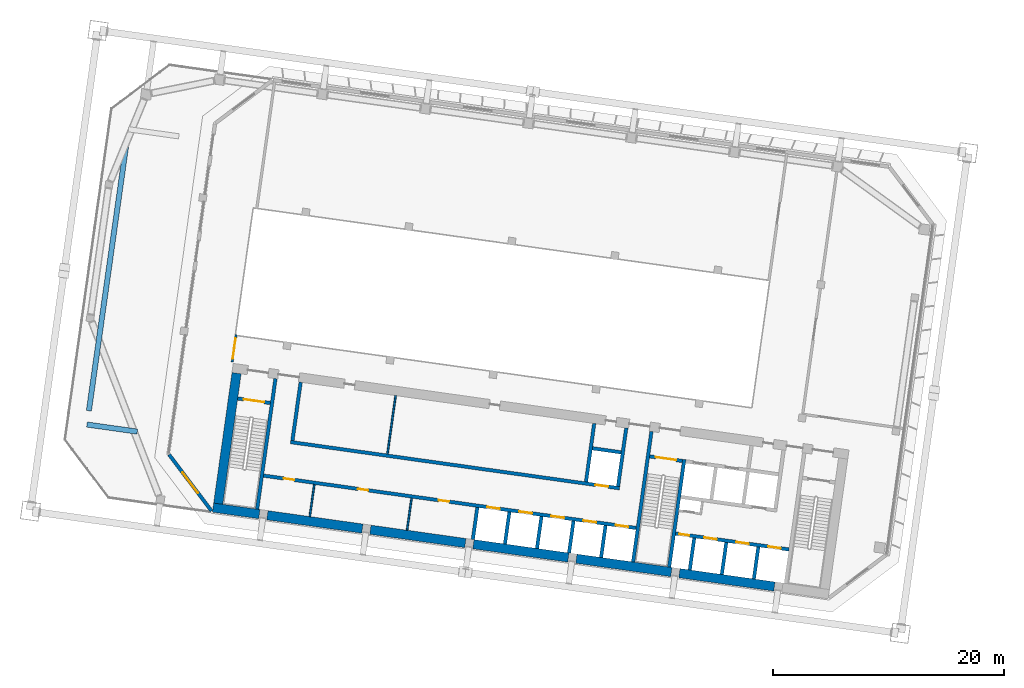
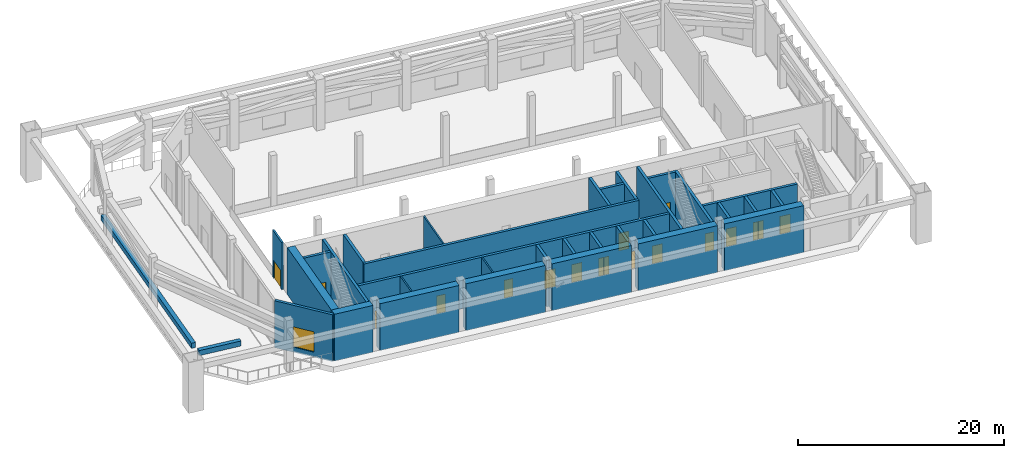
# One storey, part 20 of 41: 34 walls, 16 doors, 1 window, 17 openings.
"""IFC4 building model written with IfcOpenShell, lengths in metres."""

import ifcopenshell
import ifcopenshell.guid

model = None  # the IFC model being written
_history = None  # IfcOwnerHistory: only IFC2X3 demands one
_inside = {}  # id of a spatial element -> (the spatial element, [elements in it])
_under = {}  # id of a project, library or spatial element -> (it, [spatial elements below it])
_declared = {}  # id of a project -> (the project, [libraries it declares])
_typed = {}  # id of a type object -> (the type object, [elements of that type])
_made_of = {}  # id of a material, layer set ... -> (it, [elements and type objects made of it])


def new_model(schema):
    """Start an empty IFC model of exactly this schema.

    Asked for "IFC4X3", IfcOpenShell would pick the latest addendum, in which some entities
    have other attributes; the version numbers below select the first issue.
    IFC2X3 requires an IfcOwnerHistory on every rooted entity: one is made here for all.
    """
    global model, _history
    if schema == "IFC4X3":
        model = ifcopenshell.file(schema_version=(4, 3, 0, 0))
    else:
        model = ifcopenshell.file(schema=schema)
    _inside.clear()
    _under.clear()
    _declared.clear()
    _typed.clear()
    _made_of.clear()
    _history = None
    if model.schema == "IFC2X3":
        org = make("IfcOrganization", Name="unknown")
        user = make(
            "IfcPersonAndOrganization",
            ThePerson=make("IfcPerson", FamilyName="unknown"),
            TheOrganization=org,
        )
        app = make(
            "IfcApplication",
            ApplicationDeveloper=org,
            Version="unknown",
            ApplicationFullName="unknown",
            ApplicationIdentifier="unknown",
        )
        _history = make(
            "IfcOwnerHistory",
            OwningUser=user,
            OwningApplication=app,
            ChangeAction="ADDED",
            CreationDate=0,
        )
    return model


def make(cls, **values):
    """One entity of the class cls with the attributes given. An attribute that is None is left unset."""
    return model.create_entity(
        cls, **{name: value for name, value in values.items() if value is not None}
    )


def rooted(cls, **values):
    """An entity with a GlobalId (a new one), such as an element, a storey or a relation."""
    return make(cls, GlobalId=ifcopenshell.guid.new(), OwnerHistory=_history, **values)


def si_unit(unit_type, name, prefix=None):
    """IfcSIUnit, for example si_unit("LENGTHUNIT", "METRE", prefix="MILLI")."""
    return make("IfcSIUnit", UnitType=unit_type, Prefix=prefix, Name=name)


def assignment(units):
    """IfcUnitAssignment: the units of a project."""
    return None if units is None else make("IfcUnitAssignment", Units=units)


def point(xyz):
    """IfcCartesianPoint."""
    return None if xyz is None else make("IfcCartesianPoint", Coordinates=xyz)


def direction(xyz):
    """IfcDirection."""
    return None if xyz is None else make("IfcDirection", DirectionRatios=xyz)


def frame(location, z_axis=None, x_axis=None):
    """IfcAxis2Placement3D, a coordinate frame: its origin and axes. An axis left out is left unset."""
    return make(
        "IfcAxis2Placement3D",
        Location=point(location),
        Axis=direction(z_axis),
        RefDirection=direction(x_axis),
    )


def frame_2d(location, x_axis=None):
    """IfcAxis2Placement2D, a coordinate frame in the plane: its origin and x axis."""
    return make(
        "IfcAxis2Placement2D", Location=point(location), RefDirection=direction(x_axis)
    )


def origin():
    """The frame at (0, 0, 0) with its axes left unset."""
    return frame((0.0, 0.0, 0.0))


def place(relative_to, where):
    """IfcLocalPlacement: puts the frame where relative to a parent placement (None: the world)."""
    return make(
        "IfcLocalPlacement", PlacementRelTo=relative_to, RelativePlacement=where
    )


def context(
    kind, dimensions, precision=None, world=None, true_north=None, identifier=None
):
    """IfcGeometricRepresentationContext, for example the 3D "Model" context."""
    return make(
        "IfcGeometricRepresentationContext",
        ContextIdentifier=identifier,
        ContextType=kind,
        CoordinateSpaceDimension=dimensions,
        Precision=precision,
        WorldCoordinateSystem=world,
        TrueNorth=true_north,
    )


def subcontext(parent, identifier, kind, view, scale=None):
    """IfcGeometricRepresentationSubContext, for example "Body" below "Model"."""
    return make(
        "IfcGeometricRepresentationSubContext",
        ContextIdentifier=identifier,
        ContextType=kind,
        ParentContext=parent,
        TargetScale=scale,
        TargetView=view,
    )


def project(units=None, contexts=None):
    """IfcProject with its units and contexts."""
    return rooted(
        "IfcProject",
        Name="project",
        RepresentationContexts=contexts,
        UnitsInContext=assignment(units),
    )


def spatial(cls, under=None, at=None, **own):
    """A site, building, storey or space (cls), placed at a placement, below another one or the project."""
    s = rooted(cls, ObjectPlacement=at, **own)
    if under is not None:
        _under.setdefault(under.id(), (under, []))[1].append(s)
    return s


def profile(cls, at=None, kind="AREA", **sizes):
    """A parametric profile (cls). Its sizes go by their IFC names, for example OverallWidth=200.0."""
    return make(cls, ProfileType=kind, Position=at, **sizes)


def rectangle(**sizes):
    """IfcRectangleProfileDef."""
    return profile("IfcRectangleProfileDef", **sizes)


def extrude(swept, where, along, depth):
    """IfcExtrudedAreaSolid: the profile swept, set in the frame where, extruded along a direction by depth."""
    return make(
        "IfcExtrudedAreaSolid",
        SweptArea=swept,
        Position=where,
        ExtrudedDirection=direction(along),
        Depth=depth,
    )


def shape(context_of_items, identifier, shape_type, items):
    """IfcShapeRepresentation: the items that make up one representation, for example the "Body"."""
    return make(
        "IfcShapeRepresentation",
        ContextOfItems=context_of_items,
        RepresentationIdentifier=identifier,
        RepresentationType=shape_type,
        Items=items,
    )


def material(Name=None, Category=None):
    """IfcMaterial."""
    return make("IfcMaterial", Name=Name, Category=Category)


def layer(
    of_material, thickness, ventilated=None, Name=None, Category=None, Priority=None
):
    """IfcMaterialLayer: one layer of a wall or slab, of a material (None: an air gap)."""
    return make(
        "IfcMaterialLayer",
        Material=of_material,
        LayerThickness=thickness,
        IsVentilated=ventilated,
        Name=Name,
        Category=Category,
        Priority=Priority,
    )


def layer_set(layers, Name=None):
    """IfcMaterialLayerSet."""
    return make("IfcMaterialLayerSet", MaterialLayers=layers, LayerSetName=Name)


def made_of(thing, what):
    """Note that an element or type object is made of a material, layer set ...; save() writes the relation."""
    if what is not None:
        _made_of.setdefault(what.id(), (what, []))[1].append(thing)
    return thing


def type_object(cls, material=None, **own):
    """A type object (cls), such as IfcWallType, which elements share."""
    return made_of(rooted(cls, **own), material)


def element(
    cls,
    number,
    at=None,
    inside=None,
    cuts=None,
    type_object=None,
    material=None,
    context=None,
    identifier="Body",
    shape_type=None,
    held_by="IfcProductDefinitionShape",
    body=None,
    shapes=None,
    **own,
):
    """One element of the class cls, such as IfcWall. Its Tag is "e" and its number.

    at: its placement. inside: the storey or other place that contains it. cuts: it is an
    opening in that element (IfcRelVoidsElement). A single representation is given by context,
    identifier, shape_type and body (its items); several are given by shapes. held_by: the class
    of the entity that holds the representations. save() writes the other relations.
    """
    e = rooted(cls, Tag="e%d" % number, ObjectPlacement=at, **own)
    if body is not None:
        shapes = [shape(context, identifier, shape_type, body)]
    if shapes is not None:
        e.Representation = make(held_by, Representations=shapes)
    if inside is not None:
        _inside.setdefault(inside.id(), (inside, []))[1].append(e)
    if cuts is not None:
        rooted(
            "IfcRelVoidsElement", RelatingBuildingElement=cuts, RelatedOpeningElement=e
        )
    if type_object is not None:
        _typed.setdefault(type_object.id(), (type_object, []))[1].append(e)
    return made_of(e, material)


def fill(opening, filler):
    """IfcRelFillsElement: the door or window that sits in an opening."""
    return rooted(
        "IfcRelFillsElement",
        RelatingOpeningElement=opening,
        RelatedBuildingElement=filler,
    )


def aggregate(whole, parts):
    """IfcRelAggregates: a whole, such as a stair, and the parts it consists of."""
    return rooted("IfcRelAggregates", RelatingObject=whole, RelatedObjects=parts)


def save(model, path):
    """Write the relations noted so far, then the file.

    IfcRelAggregates (storeys below a building ...), IfcRelContainedInSpatialStructure (elements
    in a storey), IfcRelDefinesByType, IfcRelAssociatesMaterial and IfcRelDeclares: one each for
    every whole, place, type object, material and project.
    """
    for whole, parts in _under.values():
        aggregate(whole, parts)
    for where, things in _inside.values():
        rooted(
            "IfcRelContainedInSpatialStructure",
            RelatedElements=things,
            RelatingStructure=where,
        )
    for kind, things in _typed.values():
        rooted("IfcRelDefinesByType", RelatedObjects=things, RelatingType=kind)
    for what, things in _made_of.values():
        rooted("IfcRelAssociatesMaterial", RelatedObjects=things, RelatingMaterial=what)
    for by, libraries in _declared.values():
        rooted("IfcRelDeclares", RelatingContext=by, RelatedDefinitions=libraries)
    model.write(path)


model = new_model("IFC4")

# Units and contexts
model_context = context("Model", 3, precision=1e-05, world=origin(), true_north=direction((0.0, 1.0)))
body_context = subcontext(model_context, "Body", "Model", "MODEL_VIEW")
ifc_project = project(units=[si_unit("LENGTHUNIT", "METRE"), si_unit("AREAUNIT", "SQUARE_METRE"), si_unit("VOLUMEUNIT", "CUBIC_METRE"), si_unit("PLANEANGLEUNIT", "RADIAN"), si_unit("MASSUNIT", "GRAM", prefix="KILO")], contexts=[model_context])

# Site, building, storey
site_placement = place(None, origin())
site = spatial("IfcSite", under=ifc_project, at=site_placement, CompositionType="ELEMENT")
building_placement = place(site_placement, origin())
building = spatial("IfcBuilding", under=site, at=building_placement, Name="Mirante Cascada Hotel Towers", CompositionType="ELEMENT")
storey_placement = place(building_placement, frame((0.0, 0.0, 92.7)))
storey = spatial("IfcBuildingStorey", under=building, at=storey_placement, Name="L20", CompositionType="ELEMENT", Elevation=92.7)

# Walls
ifc_material_1 = material(Name="Masonry block", Category="masonry")
ifc_layer_1 = layer(ifc_material_1, 0.15)
ifc_layer_set_1 = layer_set([ifc_layer_1], Name="Core room partition 150 block EI 30")
wall_type_1 = type_object("IfcWallType", Name="Core room partition 150 block EI 30", PredefinedType="PARTITIONING", material=ifc_layer_set_1)
wall_1_placement = place(storey_placement, frame((-73.6152, -14.1482, 0.0), z_axis=(0.0, 0.0, 1.0), x_axis=(0.139176, 0.9902677, 0.0)))
element("IfcWall", 1, at=wall_1_placement, inside=storey, type_object=wall_type_1, Name="Core wall partition T1 L20 4", PredefinedType="PARTITIONING", context=body_context, shape_type="SweptSolid", body=[
    extrude(rectangle(XDim=2.8001, YDim=0.15, at=frame_2d((1.4, 0.0))), origin(), (0.0, 0.0, 1.0), 5.55),
])
wall_2_placement = place(storey_placement, frame((-82.0324, -12.9652, 0.0), z_axis=(0.0, 0.0, 1.0), x_axis=(0.139141, 0.9902726, 0.0)))
element("IfcWall", 2, at=wall_2_placement, inside=storey, type_object=wall_type_1, Name="Core wall partition T1 L20 5", PredefinedType="PARTITIONING", context=body_context, shape_type="SweptSolid", body=[
    extrude(rectangle(XDim=2.8, YDim=0.15, at=frame_2d((1.4, 0.0))), origin(), (0.0, 0.0, 1.0), 5.55),
])
wall_3_placement = place(storey_placement, frame((-75.3131, -7.5476, 0.0), z_axis=(0.0, 0.0, 1.0), x_axis=(0.1391782, 0.9902673, 0.0)))
element("IfcWall", 3, at=wall_3_placement, inside=storey, type_object=wall_type_1, Name="Core wall partition T1 L20 6", PredefinedType="PARTITIONING", context=body_context, shape_type="SweptSolid", body=[
    extrude(rectangle(XDim=5.0999, YDim=0.15, at=frame_2d((2.55, 0.0))), origin(), (0.0, 0.0, 1.0), 5.55),
])
ifc_material_2 = material(Name="Precast concrete C40/50", Category="concrete")
ifc_layer_2 = layer(ifc_material_2, 0.45)
ifc_layer_set_2 = layer_set([ifc_layer_2], Name="Planter wall 450 concrete C40/50")
wall_type_2 = type_object("IfcWallType", Name="Planter wall 450 concrete C40/50", PredefinedType="PARAPET", material=ifc_layer_set_2)
wall_4_placement = place(storey_placement, frame((-96.955, -5.6169, 0.0), z_axis=(0.0, 0.0, 1.0), x_axis=(-0.990267, 0.139181, 0.0)))
element("IfcWall", 4, at=wall_4_placement, inside=storey, type_object=wall_type_2, Name="PLANTER T1 L20 bed 1", PredefinedType="PARAPET", context=body_context, shape_type="SweptSolid", body=[
    extrude(rectangle(XDim=4.4, YDim=0.45, at=frame_2d((2.2, 0.0))), origin(), (0.0, 0.0, 1.0), 0.6),
])
wall_5_placement = place(storey_placement, frame((-101.1451, -3.8162, 0.0), z_axis=(0.0, 0.0, 1.0), x_axis=(0.1391708, 0.9902684, 0.0)))
element("IfcWall", 5, at=wall_5_placement, inside=storey, type_object=wall_type_2, Name="PLANTER T1 L20 bed 3", PredefinedType="PARAPET", context=body_context, shape_type="SweptSolid", body=[
    extrude(rectangle(XDim=23.4, YDim=0.45, at=frame_2d((11.7, 0.0))), origin(), (0.0, 0.0, 1.0), 0.6),
])

# Wall, opening, window
ifc_material_3 = material(Name="Precast concrete C40/50", Category="concrete")
ifc_layer_3 = layer(ifc_material_3, 0.3)
ifc_layer_set_3 = layer_set([ifc_layer_3], Name="Precast concrete C40/50 cladding wall 300")
wall_type_3 = type_object("IfcWallType", Name="Precast concrete C40/50 cladding wall 300", PredefinedType="STANDARD", material=ifc_layer_set_3)
wall_6_placement = place(storey_placement, frame((-90.5299, -12.4841, 0.0), z_axis=(0.0, 0.0, 1.0), x_axis=(-0.6018063, 0.7986421, 0.0)))
wall_6 = element("IfcWall", 6, at=wall_6_placement, inside=storey, type_object=wall_type_3, Name="Corner cladding wall T1 L20 rear outer", PredefinedType="STANDARD", context=body_context, shape_type="SweptSolid", body=[
    extrude(rectangle(XDim=6.1158, YDim=0.3, at=frame_2d((3.0579, 0.0))), origin(), (0.0, 0.0, 1.0), 5.55),
])
opening_1_placement = place(wall_6_placement, frame((1.9578, 0.0, 0.6)))
opening_1 = element("IfcOpeningElement", 7, at=opening_1_placement, cuts=wall_6, Name="Opening W1-20-08", PredefinedType="OPENING", context=body_context, shape_type="SweptSolid", body=[
    extrude(rectangle(XDim=2.2, YDim=2.4, at=frame_2d((1.1, 1.2))), frame((0.0, 0.15, 0.0), z_axis=(0.0, -1.0, 0.0), x_axis=(1.0, 0.0, 0.0)), (0.0, 0.0, 1.0), 0.3),
])
ifc_material_4 = material(Name="Aluminium frame with clear double glazing", Category="aluminium")
window_type = type_object("IfcWindowType", Name="Corner suite window 2200x2400", PartitioningType="DOUBLE_PANEL_VERTICAL", PredefinedType="WINDOW", material=ifc_material_4)
window_placement = place(opening_1_placement, origin())
window = element("IfcWindow", 8, at=window_placement, inside=storey, type_object=window_type, Name="Window W1-20-08", OverallHeight=2.4, OverallWidth=2.2, PartitioningType="SINGLE_PANEL", PredefinedType="WINDOW", context=body_context, shape_type="SweptSolid", body=[
    extrude(rectangle(XDim=2.2, YDim=2.4, at=frame_2d((1.1, 1.2))), frame((0.0, 0.03, 0.0), z_axis=(0.0, -1.0, 0.0), x_axis=(1.0, 0.0, 0.0)), (0.0, 0.0, 1.0), 0.06),
])
fill(opening_1, window)

# Walls
ifc_material_5 = material(Name="Concrete C50/60", Category="concrete")
ifc_layer_4 = layer(ifc_material_5, 0.3)
ifc_layer_set_4 = layer_set([ifc_layer_4], Name="RC core wall 300 C50/60")
wall_type_4 = type_object("IfcWallType", Name="RC core wall 300 C50/60", PredefinedType="SHEAR", material=ifc_layer_set_4)
wall_7_placement = place(storey_placement, frame((-50.938, -17.3352, 0.0), z_axis=(0.0, 0.0, 1.0), x_axis=(0.1391706, 0.9902684, 0.0)))
element("IfcWall", 9, at=wall_7_placement, inside=storey, type_object=wall_type_4, Name="Core wall T1:L20:6", PredefinedType="SHEAR", context=body_context, shape_type="SweptSolid", body=[
    extrude(rectangle(XDim=9.4, YDim=0.3, at=frame_2d((4.7, 0.0))), origin(), (0.0, 0.0, 1.0), 5.55),
])
wall_8_placement = place(storey_placement, frame((-54.0574, -16.8968, 0.0), z_axis=(0.0, 0.0, 1.0), x_axis=(0.1391761, 0.9902677, 0.0)))
element("IfcWall", 10, at=wall_8_placement, inside=storey, type_object=wall_type_4, Name="Core wall T1:L20:7", PredefinedType="SHEAR", context=body_context, shape_type="SweptSolid", body=[
    extrude(rectangle(XDim=11.3999, YDim=0.3, at=frame_2d((5.7, 0.0))), origin(), (0.0, 0.0, 1.0), 5.55),
])
wall_9_placement = place(storey_placement, frame((-86.5877, -12.325, 0.0), z_axis=(0.0, 0.0, 1.0), x_axis=(0.1391749, 0.9902678, 0.0)))
element("IfcWall", 11, at=wall_9_placement, inside=storey, type_object=wall_type_4, Name="Core wall T1:L20:8", PredefinedType="SHEAR", context=body_context, shape_type="SweptSolid", body=[
    extrude(rectangle(XDim=11.4, YDim=0.3, at=frame_2d((5.7, 0.0))), origin(), (0.0, 0.0, 1.0), 5.55),
])

# Wall, opening, door
wall_10_placement = place(storey_placement, frame((-49.7992, -8.1544, 0.0), z_axis=(0.0, 0.0, 1.0), x_axis=(-0.9902656, 0.1391909, 0.0)))
wall_10 = element("IfcWall", 12, at=wall_10_placement, inside=storey, type_object=wall_type_4, Name="Core wall T1:L20:10", PredefinedType="SHEAR", context=body_context, shape_type="SweptSolid", body=[
    extrude(rectangle(XDim=2.85, YDim=0.3, at=frame_2d((1.425, 0.0))), origin(), (0.0, 0.0, 1.0), 5.55),
])
opening_2_placement = place(wall_10_placement, frame((0.525, 0.0, 0.0)))
opening_2 = element("IfcOpeningElement", 13, at=opening_2_placement, cuts=wall_10, Name="Opening D1-20-C15", PredefinedType="OPENING", context=body_context, shape_type="SweptSolid", body=[
    extrude(rectangle(XDim=1.8, YDim=2.1, at=frame_2d((0.9, 1.05))), frame((0.0, 0.15, 0.0), z_axis=(0.0, -1.0, 0.0), x_axis=(1.0, 0.0, 0.0)), (0.0, 0.0, 1.0), 0.3),
])
ifc_material_6 = material(Name="Hollow metal fire door leaf")
door_type_1 = type_object("IfcDoorType", Name="Double fire door 1800x2100 FD60", OperationType="DOUBLE_DOOR_SINGLE_SWING", PredefinedType="DOOR", material=ifc_material_6)
door_1_placement = place(opening_2_placement, origin())
door_1 = element("IfcDoor", 14, at=door_1_placement, inside=storey, type_object=door_type_1, Name="Stair door T1 L20 15", OperationType="DOUBLE_DOOR_SINGLE_SWING", OverallHeight=2.1, OverallWidth=1.8, PredefinedType="DOOR", context=body_context, shape_type="SweptSolid", body=[
    extrude(rectangle(XDim=0.895, YDim=2.1, at=frame_2d((0.4475, 1.05))), frame((0.0, 0.025, 0.0), z_axis=(0.0, -1.0, 0.0), x_axis=(1.0, 0.0, 0.0)), (0.0, 0.0, 1.0), 0.05),
    extrude(rectangle(XDim=0.895, YDim=2.1, at=frame_2d((1.3525, 1.05))), frame((0.0, 0.025, 0.0), z_axis=(0.0, -1.0, 0.0), x_axis=(1.0, 0.0, 0.0)), (0.0, 0.0, 1.0), 0.05),
])
fill(opening_2, door_1)

wall_11_placement = place(storey_placement, frame((-85.4489, -3.1441, 0.0), z_axis=(0.0, 0.0, 1.0), x_axis=(-0.9902697, 0.1391613, 0.0)))
wall_11 = element("IfcWall", 15, at=wall_11_placement, inside=storey, type_object=wall_type_4, Name="Core wall T1:L20:11", PredefinedType="SHEAR", context=body_context, shape_type="SweptSolid", body=[
    extrude(rectangle(XDim=2.8499, YDim=0.3, at=frame_2d((1.425, 0.0))), origin(), (0.0, 0.0, 1.0), 5.55),
])
opening_3_placement = place(wall_11_placement, frame((0.525, 0.0, 0.0)))
opening_3 = element("IfcOpeningElement", 16, at=opening_3_placement, cuts=wall_11, Name="Opening D1-20-C17", PredefinedType="OPENING", context=body_context, shape_type="SweptSolid", body=[
    extrude(rectangle(XDim=1.8, YDim=2.1, at=frame_2d((0.9, 1.05))), frame((0.0, 0.15, 0.0), z_axis=(0.0, -1.0, 0.0), x_axis=(1.0, 0.0, 0.0)), (0.0, 0.0, 1.0), 0.3),
])
door_2_placement = place(opening_3_placement, origin())
door_2 = element("IfcDoor", 17, at=door_2_placement, inside=storey, type_object=door_type_1, Name="Stair door T1 L20 17", OperationType="DOUBLE_DOOR_SINGLE_SWING", OverallHeight=2.1, OverallWidth=1.8, PredefinedType="DOOR", context=body_context, shape_type="SweptSolid", body=[
    extrude(rectangle(XDim=0.895, YDim=2.1, at=frame_2d((0.4475, 1.05))), frame((0.0, 0.025, 0.0), z_axis=(0.0, -1.0, 0.0), x_axis=(1.0, 0.0, 0.0)), (0.0, 0.0, 1.0), 0.05),
    extrude(rectangle(XDim=0.895, YDim=2.1, at=frame_2d((1.3525, 1.05))), frame((0.0, 0.025, 0.0), z_axis=(0.0, -1.0, 0.0), x_axis=(1.0, 0.0, 0.0)), (0.0, 0.0, 1.0), 0.05),
])
fill(opening_3, door_2)

# Wall, openings, doors
wall_12_placement = place(storey_placement, frame((-40.5753, -15.8126, 0.0), z_axis=(0.0, 0.0, 1.0), x_axis=(-0.9902682, 0.1391725, 0.0)))
wall_12 = element("IfcWall", 18, at=wall_12_placement, inside=storey, type_object=wall_type_4, Name="Core wall T1:L20:12", PredefinedType="SHEAR", context=body_context, shape_type="SweptSolid", body=[
    extrude(rectangle(XDim=9.8999, YDim=0.3, at=frame_2d((4.95, 0.0))), origin(), (0.0, 0.0, 1.0), 5.55),
])
opening_4_placement = place(wall_12_placement, frame((0.7, 0.0, 0.0)))
opening_4 = element("IfcOpeningElement", 19, at=opening_4_placement, cuts=wall_12, Name="Opening LD", PredefinedType="OPENING", context=body_context, shape_type="SweptSolid", body=[
    extrude(rectangle(XDim=1.1, YDim=2.1, at=frame_2d((0.55, 1.05))), frame((0.0, 0.15, 0.0), z_axis=(0.0, -1.0, 0.0), x_axis=(1.0, 0.0, 0.0)), (0.0, 0.0, 1.0), 0.3),
])
opening_5_placement = place(wall_12_placement, frame((3.5, 0.0, 0.0)))
opening_5 = element("IfcOpeningElement", 20, at=opening_5_placement, cuts=wall_12, Name="Opening LD", PredefinedType="OPENING", context=body_context, shape_type="SweptSolid", body=[
    extrude(rectangle(XDim=1.1, YDim=2.1, at=frame_2d((0.55, 1.05))), frame((0.0, 0.15, 0.0), z_axis=(0.0, -1.0, 0.0), x_axis=(1.0, 0.0, 0.0)), (0.0, 0.0, 1.0), 0.3),
])
opening_6_placement = place(wall_12_placement, frame((6.3, 0.0, 0.0)))
opening_6 = element("IfcOpeningElement", 21, at=opening_6_placement, cuts=wall_12, Name="Opening LD", PredefinedType="OPENING", context=body_context, shape_type="SweptSolid", body=[
    extrude(rectangle(XDim=1.1, YDim=2.1, at=frame_2d((0.55, 1.05))), frame((0.0, 0.15, 0.0), z_axis=(0.0, -1.0, 0.0), x_axis=(1.0, 0.0, 0.0)), (0.0, 0.0, 1.0), 0.3),
])
opening_7_placement = place(wall_12_placement, frame((8.7, 0.0, 0.0)))
opening_7 = element("IfcOpeningElement", 22, at=opening_7_placement, cuts=wall_12, Name="Opening D1-20-C22", PredefinedType="OPENING", context=body_context, shape_type="SweptSolid", body=[
    extrude(rectangle(XDim=0.9, YDim=2.1, at=frame_2d((0.45, 1.05))), frame((0.0, 0.15, 0.0), z_axis=(0.0, -1.0, 0.0), x_axis=(1.0, 0.0, 0.0)), (0.0, 0.0, 1.0), 0.3),
])
ifc_material_7 = material(Name="Hollow metal fire door leaf")
door_type_2 = type_object("IfcDoorType", Name="Fire door 900x2100 FD60", OperationType="NOTDEFINED", PredefinedType="DOOR", material=ifc_material_7)
door_3_placement = place(opening_7_placement, origin())
door_3 = element("IfcDoor", 23, at=door_3_placement, inside=storey, type_object=door_type_2, Name="Riser door T1 L20 22", OperationType="SINGLE_SWING_LEFT", OverallHeight=2.1, OverallWidth=0.9, PredefinedType="DOOR", context=body_context, shape_type="SweptSolid", body=[
    extrude(rectangle(XDim=0.9, YDim=2.1, at=frame_2d((0.45, 1.05))), frame((0.0, 0.025, 0.0), z_axis=(0.0, -1.0, 0.0), x_axis=(1.0, 0.0, 0.0)), (0.0, 0.0, 1.0), 0.05),
])
fill(opening_7, door_3)
ifc_material_8 = material(Name="Stainless steel", Category="steel")
door_type_3 = type_object("IfcDoorType", Name="Lift landing door 1100x2100 EI 120", OperationType="DOUBLE_DOOR_SLIDING", PredefinedType="DOOR", material=ifc_material_8)
door_4_placement = place(opening_4_placement, origin())
door_4 = element("IfcDoor", 24, at=door_4_placement, inside=storey, type_object=door_type_3, Name="Lift landing door HR1-1 L20", OperationType="DOUBLE_DOOR_SLIDING", OverallHeight=2.1, OverallWidth=1.1, PredefinedType="DOOR", context=body_context, shape_type="SweptSolid", body=[
    extrude(rectangle(XDim=0.545, YDim=2.1, at=frame_2d((0.2725, 1.05))), frame((0.0, 0.025, 0.0), z_axis=(0.0, -1.0, 0.0), x_axis=(1.0, 0.0, 0.0)), (0.0, 0.0, 1.0), 0.05),
    extrude(rectangle(XDim=0.545, YDim=2.1, at=frame_2d((0.8275, 1.05))), frame((0.0, 0.025, 0.0), z_axis=(0.0, -1.0, 0.0), x_axis=(1.0, 0.0, 0.0)), (0.0, 0.0, 1.0), 0.05),
])
fill(opening_4, door_4)
door_5_placement = place(opening_5_placement, origin())
door_5 = element("IfcDoor", 25, at=door_5_placement, inside=storey, type_object=door_type_3, Name="Lift landing door HR1-2 L20", OperationType="DOUBLE_DOOR_SLIDING", OverallHeight=2.1, OverallWidth=1.1, PredefinedType="DOOR", context=body_context, shape_type="SweptSolid", body=[
    extrude(rectangle(XDim=0.545, YDim=2.1, at=frame_2d((0.2725, 1.05))), frame((0.0, 0.025, 0.0), z_axis=(0.0, -1.0, 0.0), x_axis=(1.0, 0.0, 0.0)), (0.0, 0.0, 1.0), 0.05),
    extrude(rectangle(XDim=0.545, YDim=2.1, at=frame_2d((0.8275, 1.05))), frame((0.0, 0.025, 0.0), z_axis=(0.0, -1.0, 0.0), x_axis=(1.0, 0.0, 0.0)), (0.0, 0.0, 1.0), 0.05),
])
fill(opening_5, door_5)
door_6_placement = place(opening_6_placement, origin())
door_6 = element("IfcDoor", 26, at=door_6_placement, inside=storey, type_object=door_type_3, Name="Lift landing door HR1-3 L20", OperationType="DOUBLE_DOOR_SLIDING", OverallHeight=2.1, OverallWidth=1.1, PredefinedType="DOOR", context=body_context, shape_type="SweptSolid", body=[
    extrude(rectangle(XDim=0.545, YDim=2.1, at=frame_2d((0.2725, 1.05))), frame((0.0, 0.025, 0.0), z_axis=(0.0, -1.0, 0.0), x_axis=(1.0, 0.0, 0.0)), (0.0, 0.0, 1.0), 0.05),
    extrude(rectangle(XDim=0.545, YDim=2.1, at=frame_2d((0.8275, 1.05))), frame((0.0, 0.025, 0.0), z_axis=(0.0, -1.0, 0.0), x_axis=(1.0, 0.0, 0.0)), (0.0, 0.0, 1.0), 0.05),
])
fill(opening_6, door_6)

# Walls
wall_13_placement = place(storey_placement, frame((-43.61, -18.3651, 0.0), z_axis=(0.0, 0.0, 1.0), x_axis=(0.1391459, 0.9902719, 0.0)))
element("IfcWall", 27, at=wall_13_placement, inside=storey, type_object=wall_type_4, Name="Core wall T1:L20:15", PredefinedType="SHEAR", context=body_context, shape_type="SweptSolid", body=[
    extrude(rectangle(XDim=2.7999, YDim=0.3, at=frame_2d((1.4, 0.0))), origin(), (0.0, 0.0, 1.0), 5.55),
])
wall_14_placement = place(storey_placement, frame((-46.3828, -17.9754, 0.0), z_axis=(0.0, 0.0, 1.0), x_axis=(0.139181, 0.990267, 0.0)))
element("IfcWall", 28, at=wall_14_placement, inside=storey, type_object=wall_type_4, Name="Core wall T1:L20:16", PredefinedType="SHEAR", context=body_context, shape_type="SweptSolid", body=[
    extrude(rectangle(XDim=2.8, YDim=0.3, at=frame_2d((1.4, 0.0))), origin(), (0.0, 0.0, 1.0), 5.55),
])
wall_15_placement = place(storey_placement, frame((-49.1555, -17.5857, 0.0), z_axis=(0.0, 0.0, 1.0), x_axis=(0.1391459, 0.9902719, 0.0)))
element("IfcWall", 29, at=wall_15_placement, inside=storey, type_object=wall_type_4, Name="Core wall T1:L20:17", PredefinedType="SHEAR", context=body_context, shape_type="SweptSolid", body=[
    extrude(rectangle(XDim=2.7999, YDim=0.3, at=frame_2d((1.4, 0.0))), origin(), (0.0, 0.0, 1.0), 5.55),
])

# Wall, openings, doors
wall_16_placement = place(storey_placement, frame((-53.7953, -13.9547, 0.0), z_axis=(0.0, 0.0, 1.0), x_axis=(-0.990268, 0.1391733, 0.0)))
wall_16 = element("IfcWall", 30, at=wall_16_placement, inside=storey, type_object=wall_type_4, Name="Core wall T1:L20:24", PredefinedType="SHEAR", context=body_context, shape_type="SweptSolid", body=[
    extrude(rectangle(XDim=32.5501, YDim=0.3, at=frame_2d((16.275, 0.0))), origin(), (0.0, 0.0, 1.0), 5.55),
])
opening_8_placement = place(wall_16_placement, frame((0.7, 0.0, 0.0)))
opening_8 = element("IfcOpeningElement", 31, at=opening_8_placement, cuts=wall_16, Name="Opening LD", PredefinedType="OPENING", context=body_context, shape_type="SweptSolid", body=[
    extrude(rectangle(XDim=1.1, YDim=2.1, at=frame_2d((0.55, 1.05))), frame((0.0, 0.15, 0.0), z_axis=(0.0, -1.0, 0.0), x_axis=(1.0, 0.0, 0.0)), (0.0, 0.0, 1.0), 0.3),
])
opening_9_placement = place(wall_16_placement, frame((3.5, 0.0, 0.0)))
opening_9 = element("IfcOpeningElement", 32, at=opening_9_placement, cuts=wall_16, Name="Opening LD", PredefinedType="OPENING", context=body_context, shape_type="SweptSolid", body=[
    extrude(rectangle(XDim=1.1, YDim=2.1, at=frame_2d((0.55, 1.05))), frame((0.0, 0.15, 0.0), z_axis=(0.0, -1.0, 0.0), x_axis=(1.0, 0.0, 0.0)), (0.0, 0.0, 1.0), 0.3),
])
opening_10_placement = place(wall_16_placement, frame((6.3, 0.0, 0.0)))
opening_10 = element("IfcOpeningElement", 33, at=opening_10_placement, cuts=wall_16, Name="Opening LD", PredefinedType="OPENING", context=body_context, shape_type="SweptSolid", body=[
    extrude(rectangle(XDim=1.1, YDim=2.1, at=frame_2d((0.55, 1.05))), frame((0.0, 0.15, 0.0), z_axis=(0.0, -1.0, 0.0), x_axis=(1.0, 0.0, 0.0)), (0.0, 0.0, 1.0), 0.3),
])
opening_11_placement = place(wall_16_placement, frame((9.1, 0.0, 0.0)))
opening_11 = element("IfcOpeningElement", 34, at=opening_11_placement, cuts=wall_16, Name="Opening LD", PredefinedType="OPENING", context=body_context, shape_type="SweptSolid", body=[
    extrude(rectangle(XDim=1.1, YDim=2.1, at=frame_2d((0.55, 1.05))), frame((0.0, 0.15, 0.0), z_axis=(0.0, -1.0, 0.0), x_axis=(1.0, 0.0, 0.0)), (0.0, 0.0, 1.0), 0.3),
])
opening_12_placement = place(wall_16_placement, frame((11.9, 0.0, 0.0)))
opening_12 = element("IfcOpeningElement", 35, at=opening_12_placement, cuts=wall_16, Name="Opening LD", PredefinedType="OPENING", context=body_context, shape_type="SweptSolid", body=[
    extrude(rectangle(XDim=1.1, YDim=2.1, at=frame_2d((0.55, 1.05))), frame((0.0, 0.15, 0.0), z_axis=(0.0, -1.0, 0.0), x_axis=(1.0, 0.0, 0.0)), (0.0, 0.0, 1.0), 0.3),
])
opening_13_placement = place(wall_16_placement, frame((16.35, 0.0, 0.0)))
opening_13 = element("IfcOpeningElement", 36, at=opening_13_placement, cuts=wall_16, Name="Opening D1-20-C25", PredefinedType="OPENING", context=body_context, shape_type="SweptSolid", body=[
    extrude(rectangle(XDim=0.9, YDim=2.1, at=frame_2d((0.45, 1.05))), frame((0.0, 0.15, 0.0), z_axis=(0.0, -1.0, 0.0), x_axis=(1.0, 0.0, 0.0)), (0.0, 0.0, 1.0), 0.3),
])
opening_14_placement = place(wall_16_placement, frame((23.4, 0.0, 0.0)))
opening_14 = element("IfcOpeningElement", 37, at=opening_14_placement, cuts=wall_16, Name="Opening D1-20-C26", PredefinedType="OPENING", context=body_context, shape_type="SweptSolid", body=[
    extrude(rectangle(XDim=0.9, YDim=2.1, at=frame_2d((0.45, 1.05))), frame((0.0, 0.15, 0.0), z_axis=(0.0, -1.0, 0.0), x_axis=(1.0, 0.0, 0.0)), (0.0, 0.0, 1.0), 0.3),
])
opening_15_placement = place(wall_16_placement, frame((29.875, 0.0, 0.0)))
opening_15 = element("IfcOpeningElement", 38, at=opening_15_placement, cuts=wall_16, Name="Opening D1-20-C27", PredefinedType="OPENING", context=body_context, shape_type="SweptSolid", body=[
    extrude(rectangle(XDim=0.9, YDim=2.1, at=frame_2d((0.45, 1.05))), frame((0.0, 0.15, 0.0), z_axis=(0.0, -1.0, 0.0), x_axis=(1.0, 0.0, 0.0)), (0.0, 0.0, 1.0), 0.3),
])
door_7_placement = place(opening_13_placement, origin())
door_7 = element("IfcDoor", 39, at=door_7_placement, inside=storey, type_object=door_type_2, Name="Room door T1 L20 25", OperationType="SINGLE_SWING_LEFT", OverallHeight=2.1, OverallWidth=0.9, PredefinedType="DOOR", context=body_context, shape_type="SweptSolid", body=[
    extrude(rectangle(XDim=0.9, YDim=2.1, at=frame_2d((0.45, 1.05))), frame((0.0, 0.025, 0.0), z_axis=(0.0, -1.0, 0.0), x_axis=(1.0, 0.0, 0.0)), (0.0, 0.0, 1.0), 0.05),
])
fill(opening_13, door_7)
door_8_placement = place(opening_14_placement, origin())
door_8 = element("IfcDoor", 40, at=door_8_placement, inside=storey, type_object=door_type_2, Name="Room door T1 L20 26", OperationType="SINGLE_SWING_LEFT", OverallHeight=2.1, OverallWidth=0.9, PredefinedType="DOOR", context=body_context, shape_type="SweptSolid", body=[
    extrude(rectangle(XDim=0.9, YDim=2.1, at=frame_2d((0.45, 1.05))), frame((0.0, 0.025, 0.0), z_axis=(0.0, -1.0, 0.0), x_axis=(1.0, 0.0, 0.0)), (0.0, 0.0, 1.0), 0.05),
])
fill(opening_14, door_8)
door_9_placement = place(opening_15_placement, origin())
door_9 = element("IfcDoor", 41, at=door_9_placement, inside=storey, type_object=door_type_2, Name="Room door T1 L20 27", OperationType="SINGLE_SWING_LEFT", OverallHeight=2.1, OverallWidth=0.9, PredefinedType="DOOR", context=body_context, shape_type="SweptSolid", body=[
    extrude(rectangle(XDim=0.9, YDim=2.1, at=frame_2d((0.45, 1.05))), frame((0.0, 0.025, 0.0), z_axis=(0.0, -1.0, 0.0), x_axis=(1.0, 0.0, 0.0)), (0.0, 0.0, 1.0), 0.05),
])
fill(opening_15, door_9)
door_10_placement = place(opening_8_placement, origin())
door_10 = element("IfcDoor", 42, at=door_10_placement, inside=storey, type_object=door_type_3, Name="Lift landing door LR1-1 L20", OperationType="DOUBLE_DOOR_SLIDING", OverallHeight=2.1, OverallWidth=1.1, PredefinedType="DOOR", context=body_context, shape_type="SweptSolid", body=[
    extrude(rectangle(XDim=0.545, YDim=2.1, at=frame_2d((0.2725, 1.05))), frame((0.0, 0.025, 0.0), z_axis=(0.0, -1.0, 0.0), x_axis=(1.0, 0.0, 0.0)), (0.0, 0.0, 1.0), 0.05),
    extrude(rectangle(XDim=0.545, YDim=2.1, at=frame_2d((0.8275, 1.05))), frame((0.0, 0.025, 0.0), z_axis=(0.0, -1.0, 0.0), x_axis=(1.0, 0.0, 0.0)), (0.0, 0.0, 1.0), 0.05),
])
fill(opening_8, door_10)
door_11_placement = place(opening_9_placement, origin())
door_11 = element("IfcDoor", 43, at=door_11_placement, inside=storey, type_object=door_type_3, Name="Lift landing door LR1-2 L20", OperationType="DOUBLE_DOOR_SLIDING", OverallHeight=2.1, OverallWidth=1.1, PredefinedType="DOOR", context=body_context, shape_type="SweptSolid", body=[
    extrude(rectangle(XDim=0.545, YDim=2.1, at=frame_2d((0.2725, 1.05))), frame((0.0, 0.025, 0.0), z_axis=(0.0, -1.0, 0.0), x_axis=(1.0, 0.0, 0.0)), (0.0, 0.0, 1.0), 0.05),
    extrude(rectangle(XDim=0.545, YDim=2.1, at=frame_2d((0.8275, 1.05))), frame((0.0, 0.025, 0.0), z_axis=(0.0, -1.0, 0.0), x_axis=(1.0, 0.0, 0.0)), (0.0, 0.0, 1.0), 0.05),
])
fill(opening_9, door_11)
door_12_placement = place(opening_10_placement, origin())
door_12 = element("IfcDoor", 44, at=door_12_placement, inside=storey, type_object=door_type_3, Name="Lift landing door SV1-1 L20", OperationType="DOUBLE_DOOR_SLIDING", OverallHeight=2.1, OverallWidth=1.1, PredefinedType="DOOR", context=body_context, shape_type="SweptSolid", body=[
    extrude(rectangle(XDim=0.545, YDim=2.1, at=frame_2d((0.2725, 1.05))), frame((0.0, 0.025, 0.0), z_axis=(0.0, -1.0, 0.0), x_axis=(1.0, 0.0, 0.0)), (0.0, 0.0, 1.0), 0.05),
    extrude(rectangle(XDim=0.545, YDim=2.1, at=frame_2d((0.8275, 1.05))), frame((0.0, 0.025, 0.0), z_axis=(0.0, -1.0, 0.0), x_axis=(1.0, 0.0, 0.0)), (0.0, 0.0, 1.0), 0.05),
])
fill(opening_10, door_12)
door_13_placement = place(opening_11_placement, origin())
door_13 = element("IfcDoor", 45, at=door_13_placement, inside=storey, type_object=door_type_3, Name="Lift landing door SV1-2 L20", OperationType="DOUBLE_DOOR_SLIDING", OverallHeight=2.1, OverallWidth=1.1, PredefinedType="DOOR", context=body_context, shape_type="SweptSolid", body=[
    extrude(rectangle(XDim=0.545, YDim=2.1, at=frame_2d((0.2725, 1.05))), frame((0.0, 0.025, 0.0), z_axis=(0.0, -1.0, 0.0), x_axis=(1.0, 0.0, 0.0)), (0.0, 0.0, 1.0), 0.05),
    extrude(rectangle(XDim=0.545, YDim=2.1, at=frame_2d((0.8275, 1.05))), frame((0.0, 0.025, 0.0), z_axis=(0.0, -1.0, 0.0), x_axis=(1.0, 0.0, 0.0)), (0.0, 0.0, 1.0), 0.05),
])
fill(opening_11, door_13)
door_14_placement = place(opening_12_placement, origin())
door_14 = element("IfcDoor", 46, at=door_14_placement, inside=storey, type_object=door_type_3, Name="Lift landing door SV1-3 L20", OperationType="DOUBLE_DOOR_SLIDING", OverallHeight=2.1, OverallWidth=1.1, PredefinedType="DOOR", context=body_context, shape_type="SweptSolid", body=[
    extrude(rectangle(XDim=0.545, YDim=2.1, at=frame_2d((0.2725, 1.05))), frame((0.0, 0.025, 0.0), z_axis=(0.0, -1.0, 0.0), x_axis=(1.0, 0.0, 0.0)), (0.0, 0.0, 1.0), 0.05),
    extrude(rectangle(XDim=0.545, YDim=2.1, at=frame_2d((0.8275, 1.05))), frame((0.0, 0.025, 0.0), z_axis=(0.0, -1.0, 0.0), x_axis=(1.0, 0.0, 0.0)), (0.0, 0.0, 1.0), 0.05),
])
fill(opening_12, door_14)

# Walls
for number, where, z_axis, x_axis, name in (
    (47, (-56.8301, -16.5072, 0.0), (0.0, 0.0, 1.0), (0.139176, 0.9902677, 0.0), "Core wall T1:L20:25"),
    (48, (-59.6029, -16.1175, 0.0), (0.0, 0.0, 1.0), (0.139176, 0.9902677, 0.0), "Core wall T1:L20:26"),
    (49, (-62.3756, -15.7278, 0.0), (0.0, 0.0, 1.0), (0.139176, 0.9902677, 0.0), "Core wall T1:L20:27"),
    (50, (-65.1484, -15.3381, 0.0), (0.0, 0.0, 1.0), (0.139176, 0.9902677, 0.0), "Core wall T1:L20:28"),
):
    element("IfcWall", number, at=place(storey_placement, frame(where, z_axis=z_axis, x_axis=x_axis)), inside=storey, type_object=wall_type_4, Name=name, PredefinedType="SHEAR", context=body_context, shape_type="SweptSolid", body=[
        extrude(rectangle(XDim=2.8001, YDim=0.3, at=frame_2d((1.4, 0.0))), origin(), (0.0, 0.0, 1.0), 5.55),
    ])
wall_17_placement = place(storey_placement, frame((-67.9211, -14.9484, 0.0), z_axis=(0.0, 0.0, 1.0), x_axis=(0.139181, 0.990267, 0.0)))
element("IfcWall", 51, at=wall_17_placement, inside=storey, type_object=wall_type_4, Name="Core wall T1:L20:29", PredefinedType="SHEAR", context=body_context, shape_type="SweptSolid", body=[
    extrude(rectangle(XDim=2.8, YDim=0.3, at=frame_2d((1.4, 0.0))), origin(), (0.0, 0.0, 1.0), 5.55),
])

# Wall, opening, door
wall_18_placement = place(storey_placement, frame((-55.2315, -10.5214, 0.0), z_axis=(0.0, 0.0, 1.0), x_axis=(-0.9902682, 0.1391722, 0.0)))
wall_18 = element("IfcWall", 52, at=wall_18_placement, inside=storey, type_object=wall_type_4, Name="Core wall T1:L20:32", PredefinedType="SHEAR", context=body_context, shape_type="SweptSolid", body=[
    extrude(rectangle(XDim=28.75, YDim=0.3, at=frame_2d((14.375, 0.0))), origin(), (0.0, 0.0, 1.0), 5.55),
])
opening_16_placement = place(wall_18_placement, frame((1.0, 0.0, 0.0)))
opening_16 = element("IfcOpeningElement", 53, at=opening_16_placement, cuts=wall_18, Name="Opening LD", PredefinedType="OPENING", context=body_context, shape_type="SweptSolid", body=[
    extrude(rectangle(XDim=1.1, YDim=2.1, at=frame_2d((0.55, 1.05))), frame((0.0, 0.15, 0.0), z_axis=(0.0, -1.0, 0.0), x_axis=(1.0, 0.0, 0.0)), (0.0, 0.0, 1.0), 0.3),
])
door_15_placement = place(opening_16_placement, origin())
door_15 = element("IfcDoor", 54, at=door_15_placement, inside=storey, type_object=door_type_3, Name="Lift landing door LR1-3 L20", OperationType="DOUBLE_DOOR_SLIDING", OverallHeight=2.1, OverallWidth=1.1, PredefinedType="DOOR", context=body_context, shape_type="SweptSolid", body=[
    extrude(rectangle(XDim=0.545, YDim=2.1, at=frame_2d((0.2725, 1.05))), frame((0.0, 0.025, 0.0), z_axis=(0.0, -1.0, 0.0), x_axis=(1.0, 0.0, 0.0)), (0.0, 0.0, 1.0), 0.05),
    extrude(rectangle(XDim=0.545, YDim=2.1, at=frame_2d((0.8275, 1.05))), frame((0.0, 0.025, 0.0), z_axis=(0.0, -1.0, 0.0), x_axis=(1.0, 0.0, 0.0)), (0.0, 0.0, 1.0), 0.05),
])
fill(opening_16, door_15)

# Walls
for number, where, z_axis, x_axis, name in (
    (55, (-55.3592, -10.352, 0.0), (0.0, 0.0, 1.0), (0.1391755, 0.9902677, 0.0), "Core wall T1:L20:33"),
    (56, (-83.5323, -6.3925, 0.0), (0.0, 0.0, 1.0), (0.1391755, 0.9902677, 0.0), "Core wall T1:L20:34"),
    (57, (-58.1319, -9.9623, 0.0), (0.0, 0.0, 1.0), (0.1391755, 0.9902677, 0.0), "Core wall T1:L20:35"),
):
    element("IfcWall", number, at=place(storey_placement, frame(where, z_axis=z_axis, x_axis=x_axis)), inside=storey, type_object=wall_type_4, Name=name, PredefinedType="SHEAR", context=body_context, shape_type="SweptSolid", body=[
        extrude(rectangle(XDim=5.1, YDim=0.3, at=frame_2d((2.55, 0.0))), origin(), (0.0, 0.0, 1.0), 5.55),
    ])
wall_19_placement = place(storey_placement, frame((-55.0971, -7.4098, 0.0), z_axis=(0.0, 0.0, 1.0), x_axis=(-0.9902701, 0.1391586, 0.0)))
element("IfcWall", 58, at=wall_19_placement, inside=storey, type_object=wall_type_4, Name="Core wall T1:L20:36", PredefinedType="SHEAR", context=body_context, shape_type="SweptSolid", body=[
    extrude(rectangle(XDim=2.5, YDim=0.3, at=frame_2d((1.25, 0.0))), origin(), (0.0, 0.0, 1.0), 5.55),
])
ifc_material_9 = material(Name="Concrete C50/60", Category="concrete")
ifc_layer_5 = layer(ifc_material_9, 0.8)
ifc_layer_set_5 = layer_set([ifc_layer_5], Name="RC core wall 800 C50/60")
wall_type_5 = type_object("IfcWallType", Name="RC core wall 800 C50/60", PredefinedType="SHEAR", material=ifc_layer_set_5)
for number, where, z_axis, x_axis, name in (
    (59, (-41.8337, -19.0187, 0.0), (0.0, 0.0, 1.0), (-0.9902686, 0.1391692, 0.0), "Core wall T1:L20:1.2"),
    (60, (-50.7461, -17.7661, 0.0), (0.0, 0.0, 1.0), (-0.9902686, 0.1391692, 0.0), "Core wall T1:L20:1.3"),
):
    element("IfcWall", number, at=place(storey_placement, frame(where, z_axis=z_axis, x_axis=x_axis)), inside=storey, type_object=wall_type_5, Name=name, PredefinedType="SHEAR", context=body_context, shape_type="SweptSolid", body=[
        extrude(rectangle(XDim=8.3, YDim=0.8, at=frame_2d((4.15, 0.0))), origin(), (0.0, 0.0, 1.0), 5.55),
    ])
for number, where, z_axis, x_axis, name in (
    (61, (-59.6585, -16.5136, 0.0), (0.0, 0.0, 1.0), (-0.9902672, 0.1391793, 0.0), "Core wall T1:L20:1.4"),
    (62, (-68.5709, -15.261, 0.0), (0.0, 0.0, 1.0), (-0.9902689, 0.1391675, 0.0), "Core wall T1:L20:1.5"),
):
    element("IfcWall", number, at=place(storey_placement, frame(where, z_axis=z_axis, x_axis=x_axis)), inside=storey, type_object=wall_type_5, Name=name, PredefinedType="SHEAR", context=body_context, shape_type="SweptSolid", body=[
        extrude(rectangle(XDim=8.3001, YDim=0.8, at=frame_2d((4.15, 0.0))), origin(), (0.0, 0.0, 1.0), 5.55),
    ])
wall_20_placement = place(storey_placement, frame((-77.4834, -14.0085, 0.0), z_axis=(0.0, 0.0, 1.0), x_axis=(-0.990267, 0.139181, 0.0)))
element("IfcWall", 63, at=wall_20_placement, inside=storey, type_object=wall_type_5, Name="Core wall T1:L20:1.6", PredefinedType="SHEAR", context=body_context, shape_type="SweptSolid", body=[
    extrude(rectangle(XDim=8.3, YDim=0.8, at=frame_2d((4.15, 0.0))), origin(), (0.0, 0.0, 1.0), 5.55),
])
wall_21_placement = place(storey_placement, frame((-86.3958, -12.7559, 0.0), z_axis=(0.0, 0.0, 1.0), x_axis=(-0.9902665, 0.1391845, 0.0)))
element("IfcWall", 64, at=wall_21_placement, inside=storey, type_object=wall_type_5, Name="Core wall T1:L20:1.7", PredefinedType="SHEAR", context=body_context, shape_type="SweptSolid", body=[
    extrude(rectangle(XDim=4.05, YDim=0.8, at=frame_2d((2.025, 0.0))), origin(), (0.0, 0.0, 1.0), 5.55),
])
wall_22_placement = place(storey_placement, frame((-89.9546, -11.8518, 0.0), z_axis=(0.0, 0.0, 1.0), x_axis=(0.1391761, 0.9902677, 0.0)))
element("IfcWall", 65, at=wall_22_placement, inside=storey, type_object=wall_type_5, Name="Core wall T1:L20:4", PredefinedType="SHEAR", context=body_context, shape_type="SweptSolid", body=[
    extrude(rectangle(XDim=11.3999, YDim=0.8, at=frame_2d((5.7, 0.0))), origin(), (0.0, 0.0, 1.0), 5.55),
])

# Wall, opening, door
ifc_material_10 = material(Name="Masonry block", Category="masonry")
ifc_layer_6 = layer(ifc_material_10, 0.2)
ifc_layer_set_6 = layer_set([ifc_layer_6], Name="Refuge and plant wall 200 block EI 120")
wall_type_6 = type_object("IfcWallType", Name="Refuge and plant wall 200 block EI 120", PredefinedType="PARTITIONING", material=ifc_layer_set_6)
wall_23_placement = place(storey_placement, frame((-88.7379, 0.3981, 0.0), z_axis=(0.0, 0.0, 1.0), x_axis=(0.1391693, 0.9902686, 0.0)))
wall_23 = element("IfcWall", 66, at=wall_23_placement, inside=storey, type_object=wall_type_6, Name="Refuge floor wall T1 L20 S5", PredefinedType="PARTITIONING", context=body_context, shape_type="SweptSolid", body=[
    extrude(rectangle(XDim=2.4, YDim=0.2, at=frame_2d((1.2, 0.0))), origin(), (0.0, 0.0, 1.0), 5.55),
])
opening_17_placement = place(wall_23_placement, frame((0.3, 0.0, 0.0)))
opening_17 = element("IfcOpeningElement", 67, at=opening_17_placement, cuts=wall_23, Name="Opening D1-20-S04", PredefinedType="OPENING", context=body_context, shape_type="SweptSolid", body=[
    extrude(rectangle(XDim=1.8, YDim=2.1, at=frame_2d((0.9, 1.05))), frame((0.0, 0.1, 0.0), z_axis=(0.0, -1.0, 0.0), x_axis=(1.0, 0.0, 0.0)), (0.0, 0.0, 1.0), 0.2),
])
ifc_material_11 = material(Name="Hollow metal fire door leaf")
door_type_4 = type_object("IfcDoorType", Name="Refuge and plant double door 1800x2100 FD60", OperationType="DOUBLE_DOOR_SINGLE_SWING", PredefinedType="DOOR", material=ifc_material_11)
door_16_placement = place(opening_17_placement, origin())
door_16 = element("IfcDoor", 68, at=door_16_placement, inside=storey, type_object=door_type_4, Name="Fire door T1 L20 s4", OperationType="DOUBLE_DOOR_SINGLE_SWING", OverallHeight=2.1, OverallWidth=1.8, PredefinedType="DOOR", context=body_context, shape_type="SweptSolid", body=[
    extrude(rectangle(XDim=0.895, YDim=2.1, at=frame_2d((0.4475, 1.05))), frame((0.0, 0.025, 0.0), z_axis=(0.0, -1.0, 0.0), x_axis=(1.0, 0.0, 0.0)), (0.0, 0.0, 1.0), 0.05),
    extrude(rectangle(XDim=0.895, YDim=2.1, at=frame_2d((1.3525, 1.05))), frame((0.0, 0.025, 0.0), z_axis=(0.0, -1.0, 0.0), x_axis=(1.0, 0.0, 0.0)), (0.0, 0.0, 1.0), 0.05),
])
fill(opening_17, door_16)

save(model, "model.ifc")
